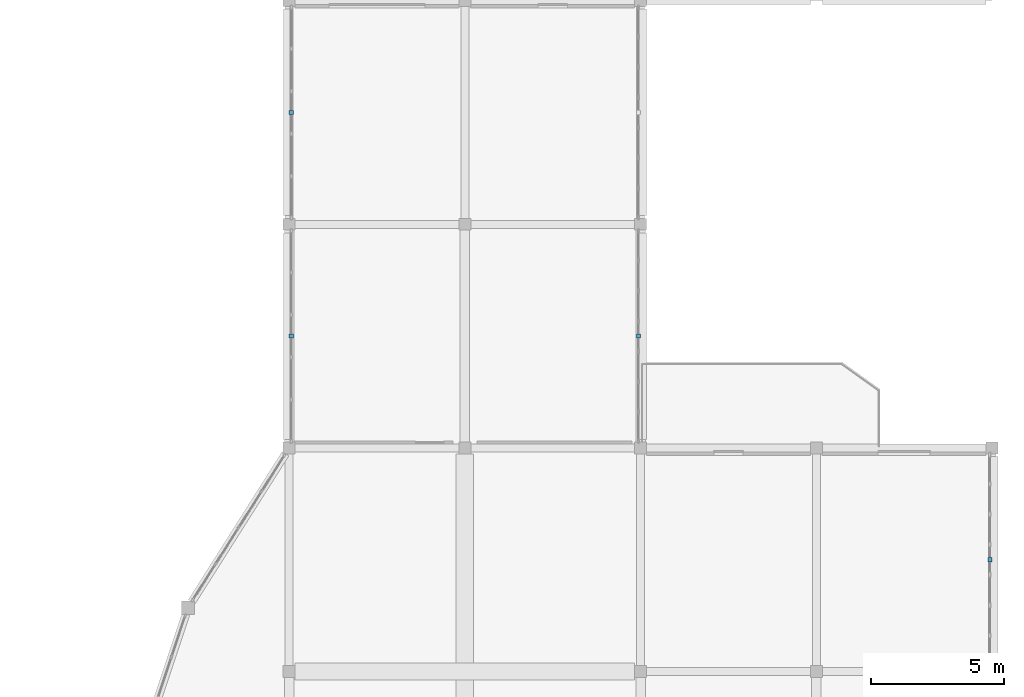
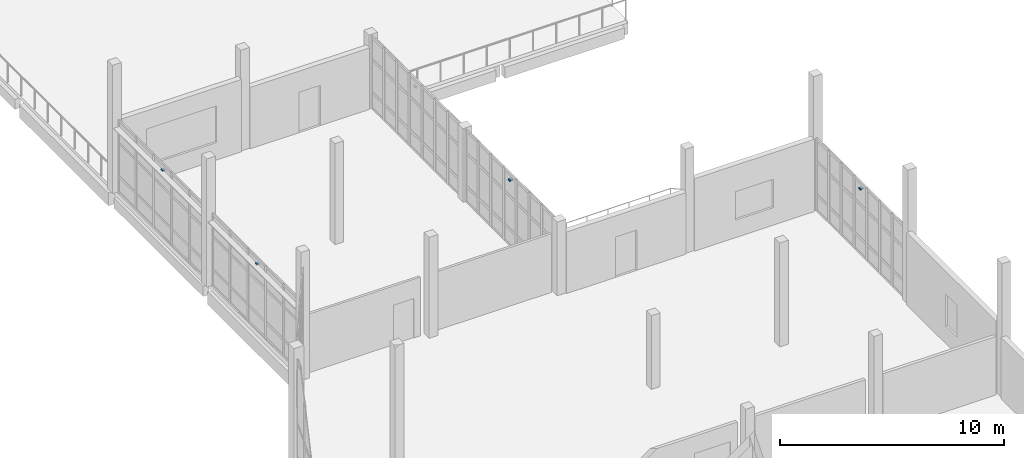
# One storey, part 70 of 78: 4 discrete accessories.
"""IFC4 building model written with IfcOpenShell, lengths in metres."""

from ifc_helpers import new_model, si_unit, direction, frame, origin, origin_2d, place, context, subcontext, project, spatial, rectangle, extrude, material, layer, layer_set, type_object, element, save


model = new_model("IFC4")

# Units and contexts
model_context = context("Model", 3, precision=1e-05, world=origin(), true_north=direction((0.0, 1.0)))
body_context = subcontext(model_context, "Body", "Model", "MODEL_VIEW")
ifc_project = project(units=[si_unit("LENGTHUNIT", "METRE"), si_unit("AREAUNIT", "SQUARE_METRE"), si_unit("VOLUMEUNIT", "CUBIC_METRE"), si_unit("PLANEANGLEUNIT", "RADIAN"), si_unit("MASSUNIT", "GRAM", prefix="KILO")], contexts=[model_context])

# Site, building, storey
site_placement = place(None, origin())
site = spatial("IfcSite", under=ifc_project, at=site_placement, CompositionType="ELEMENT")
building_placement = place(site_placement, origin())
building = spatial("IfcBuilding", under=site, at=building_placement, Name="Qaldarim Faculty of Natural and Applied Sciences", CompositionType="ELEMENT")
storey_placement = place(building_placement, frame((0.0, 0.0, 18.60009765625)))
storey = spatial("IfcBuildingStorey", under=building, at=storey_placement, Name="L04", CompositionType="ELEMENT", Elevation=18.60009765625)

# Discrete accessories
ifc_material = material(Name="Architectural stainless steel 316", Category="steel")
ifc_layer = layer(ifc_material, 0.080078125)
ifc_layer_set = layer_set([ifc_layer], Name="Architectural stainless steel 316")
discrete_accessory_type = type_object("IfcDiscreteAccessoryType", Name="FacadeBracket-SS120", PredefinedType="BRACKET", material=ifc_layer_set)
for number, where, z_axis, x_axis, name in (
    (1, (151.8798828125, 88.199951171875, 3.5498046875), (0.0, 0.0, 1.0), (0.0, 1.0, 0.0), "Solar louvre support bracket SHD-L04-W-X24Y11"),
    (2, (151.8798828125, 96.60009765625, 3.5498046875), (0.0, 0.0, 1.0), (0.0, 1.0, 0.0), "Solar louvre support bracket SHD-L04-W-X24Y12"),
    (3, (164.919921875, 88.199951171875, 3.5498046875), (0.0, 0.0, 1.0), (0.0, 1.0, 0.0), "Solar louvre support bracket SHD-L04-E-X25Y11"),
    (4, (178.1201171875, 79.800048828125, 3.5498046875), (0.0, 0.0, 1.0), (0.0, 1.0, 0.0), "Solar louvre support bracket SHD-L04-E-X27Y10"),
):
    element("IfcDiscreteAccessory", number, at=place(storey_placement, frame(where, z_axis=z_axis, x_axis=x_axis)), inside=storey, type_object=discrete_accessory_type, Name=name, PredefinedType="BRACKET", context=body_context, shape_type="SweptSolid", body=[
        extrude(rectangle(XDim=0.159912109375, YDim=0.159912109375, at=origin_2d()), origin(), (0.0, 0.0, 1.0), 0.080078125),
    ])

save(model, "model.ifc")
